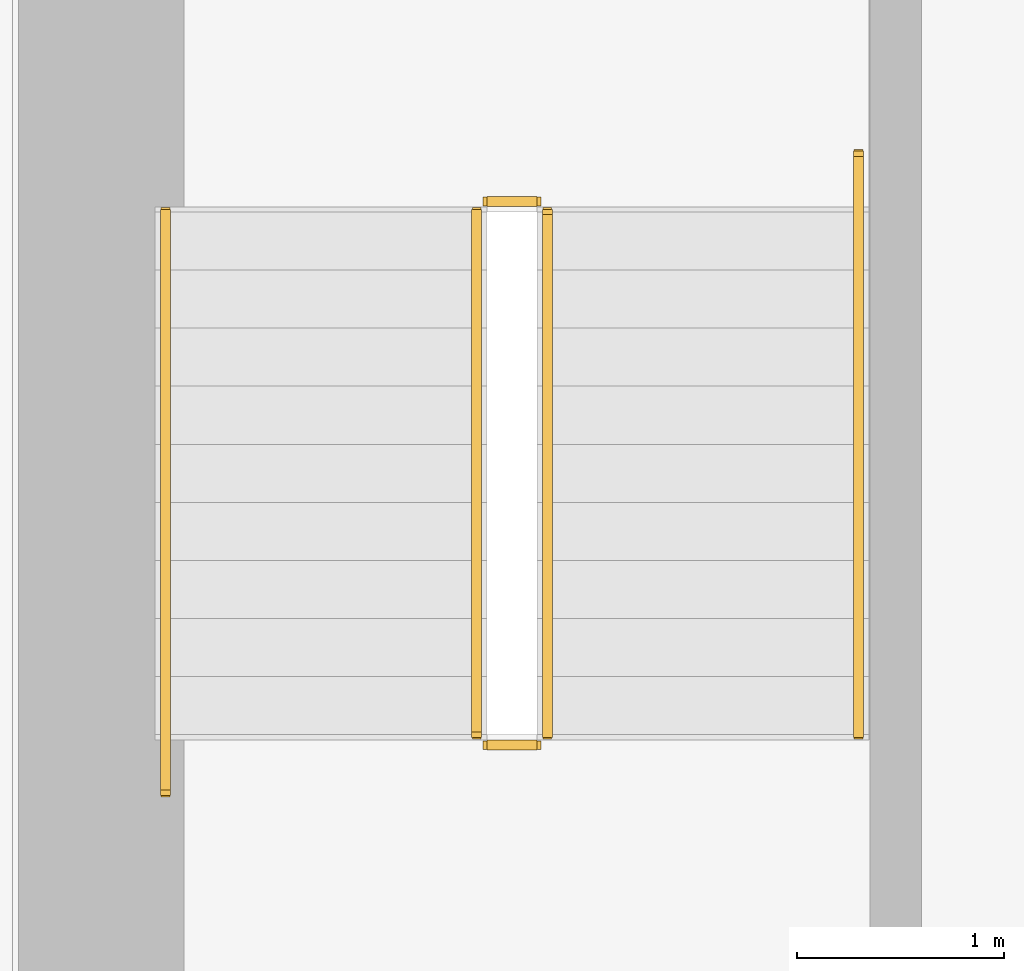
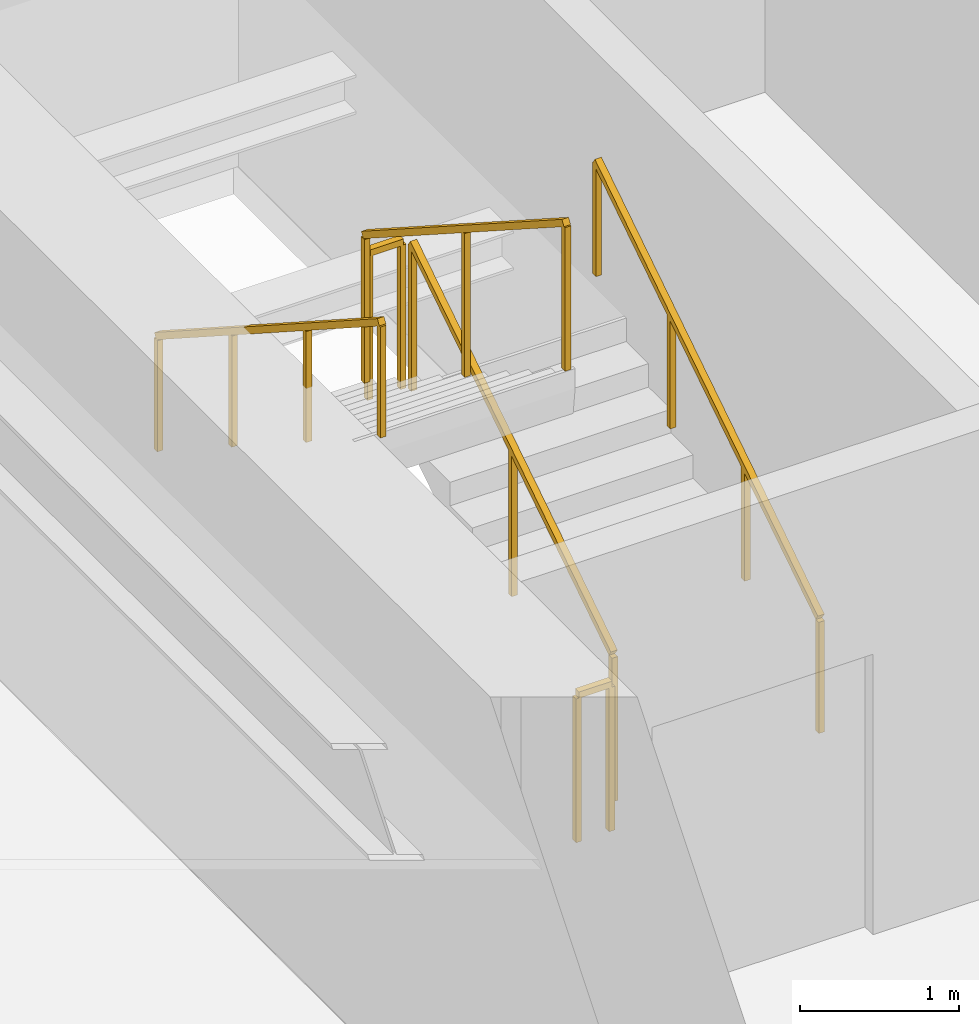
# One storey, part 29 of 32: 6 railings.
"""IFC4 building model written with IfcOpenShell, lengths in metres."""

from ifc_helpers import new_model, si_unit, direction, frame, origin, origin_2d, place, context, subcontext, project, spatial, rectangle, extrude, material, type_object, element, save


model = new_model("IFC4")

# Units and contexts
model_context = context("Model", 3, precision=1e-05, world=origin(), true_north=direction((0.0, 1.0)))
body_context = subcontext(model_context, "Body", "Model", "MODEL_VIEW")
ifc_project = project(units=[si_unit("LENGTHUNIT", "METRE"), si_unit("AREAUNIT", "SQUARE_METRE"), si_unit("VOLUMEUNIT", "CUBIC_METRE"), si_unit("PLANEANGLEUNIT", "RADIAN"), si_unit("MASSUNIT", "GRAM", prefix="KILO")], contexts=[model_context])

# Site, building, storey
site_placement = place(None, origin())
site = spatial("IfcSite", under=ifc_project, at=site_placement, CompositionType="ELEMENT")
building_placement = place(site_placement, origin())
building = spatial("IfcBuilding", under=site, at=building_placement, Name="Sumidabori Civic Tower", CompositionType="ELEMENT")
storey_placement = place(building_placement, frame((0.0, 0.0, 45.199951171875)))
storey = spatial("IfcBuildingStorey", under=building, at=storey_placement, Name="L11", CompositionType="ELEMENT", Elevation=45.199951171875)

# Railings
ifc_material_1 = material(Name="Stainless Steel Hairline Finish", Category="steel")
railing_type_1 = type_object("IfcRailingType", Name="RL-HANDRAIL", PredefinedType="HANDRAIL", material=ifc_material_1)
railing_1_placement = place(storey_placement, frame((-11.949951171875, 16.0, 0.179931640625)))
element("IfcRailing", 1, at=railing_1_placement, inside=storey, type_object=railing_type_1, Name="L11 ST-1 stair handrail 1", PredefinedType="HANDRAIL", context=body_context, shape_type="SweptSolid", body=[
    extrude(rectangle(XDim=0.048095703125, YDim=0.048095703125, at=origin_2d()), frame((0.0, 0.0, 0.8759765625), z_axis=(0.0, 0.84064222762, 0.54159084662), x_axis=(-1.0, 0.0, 0.0)), (0.0, 0.0, 1.0), 3.330810546875),
    extrude(rectangle(XDim=0.0419921875, YDim=0.0419921875, at=origin_2d()), origin(), (0.0, 0.0, 1.0), 0.851806640625),
    extrude(rectangle(XDim=0.0419921875, YDim=0.0419921875, at=origin_2d()), frame((0.0, 0.933349609375, 0.601318359375)), (0.0, 0.0, 1.0), 0.851806640625),
    extrude(rectangle(XDim=0.0419921875, YDim=0.0419921875, at=origin_2d()), frame((0.0, 1.86669921875, 1.20263671875)), (0.0, 0.0, 1.0), 0.851806640625),
    extrude(rectangle(XDim=0.0419921875, YDim=0.0419921875, at=origin_2d()), frame((0.0, 2.800048828125, 1.803955078125)), (0.0, 0.0, 1.0), 0.851806640625),
])
railing_2_placement = place(storey_placement, frame((-15.2900390625, 18.52001953125, 1.97998046875)))
element("IfcRailing", 2, at=railing_2_placement, inside=storey, type_object=railing_type_1, Name="L11 ST-1 stair handrail 2", PredefinedType="HANDRAIL", context=body_context, shape_type="SweptSolid", body=[
    extrude(rectangle(XDim=0.048095703125, YDim=0.048095703125, at=origin_2d()), frame((0.0, 0.0, 0.8759765625), z_axis=(0.0, -0.84064222762, 0.54159084662), x_axis=(1.0, 0.0, 0.0)), (0.0, 0.0, 1.0), 3.330810546875),
    extrude(rectangle(XDim=0.0419921875, YDim=0.0419921875, at=origin_2d()), origin(), (0.0, 0.0, 1.0), 0.851806640625),
    extrude(rectangle(XDim=0.0419921875, YDim=0.0419921875, at=origin_2d()), frame((0.0, -0.933349609375, 0.601318359375)), (0.0, 0.0, 1.0), 0.851806640625),
    extrude(rectangle(XDim=0.0419921875, YDim=0.0419921875, at=origin_2d()), frame((0.0, -1.86669921875, 1.20263671875)), (0.0, 0.0, 1.0), 0.851806640625),
    extrude(rectangle(XDim=0.0419921875, YDim=0.0419921875, at=origin_2d()), frame((0.0, -2.800048828125, 1.803955078125)), (0.0, 0.0, 1.0), 0.851806640625),
])
ifc_material_2 = material(Name="Steel SN490", Category="steel")
railing_type_2 = type_object("IfcRailingType", Name="RL-STAIR-GUARD", PredefinedType="GUARDRAIL", material=ifc_material_2)
railing_3_placement = place(storey_placement, frame((-13.449951171875, 16.0, 0.179931640625)))
element("IfcRailing", 3, at=railing_3_placement, inside=storey, type_object=railing_type_2, Name="L11 ST-1 stair guard 1", PredefinedType="GUARDRAIL", context=body_context, shape_type="SweptSolid", body=[
    extrude(rectangle(XDim=0.048095703125, YDim=0.048095703125, at=origin_2d()), frame((0.0, 0.0, 1.1259765625), z_axis=(0.0, 0.841162588446, 0.540782303519), x_axis=(-1.0, 0.0, 0.0)), (0.0, 0.0, 1.0), 2.995849609375),
    extrude(rectangle(XDim=0.0419921875, YDim=0.0419921875, at=origin_2d()), origin(), (0.0, 0.0, 1.0), 1.101806640625),
    extrude(rectangle(XDim=0.0419921875, YDim=0.0419921875, at=origin_2d()), frame((0.0, 1.260009765625, 0.81005859375)), (0.0, 0.0, 1.0), 1.101806640625),
    extrude(rectangle(XDim=0.0419921875, YDim=0.0419921875, at=origin_2d()), frame((0.0, 2.52001953125, 1.6201171875)), (0.0, 0.0, 1.0), 1.101806640625),
])
railing_4_placement = place(storey_placement, frame((-13.5, 18.570068359375, 1.800048828125)))
element("IfcRailing", 4, at=railing_4_placement, inside=storey, type_object=railing_type_2, Name="L11 ST-1 stair guard 2", PredefinedType="GUARDRAIL", context=body_context, shape_type="SweptSolid", body=[
    extrude(rectangle(XDim=0.048095703125, YDim=0.048095703125, at=origin_2d()), frame((0.0, 0.0, 1.1259765625), z_axis=(-1.0, 0.0, 0.0), x_axis=(0.0, -1.0, 0.0)), (0.0, 0.0, 1.0), 0.239990234375),
    extrude(rectangle(XDim=0.0419921875, YDim=0.0419921875, at=origin_2d()), origin(), (0.0, 0.0, 1.0), 1.101806640625),
    extrude(rectangle(XDim=0.0419921875, YDim=0.0419921875, at=origin_2d()), frame((-0.239990234375, 0.0, 0.0)), (0.0, 0.0, 1.0), 1.101806640625),
])
railing_5_placement = place(storey_placement, frame((-13.7900390625, 18.52001953125, 1.97998046875)))
element("IfcRailing", 5, at=railing_5_placement, inside=storey, type_object=railing_type_2, Name="L11 ST-1 stair guard 3", PredefinedType="GUARDRAIL", context=body_context, shape_type="SweptSolid", body=[
    extrude(rectangle(XDim=0.048095703125, YDim=0.048095703125, at=origin_2d()), frame((0.0, 0.0, 1.1259765625), z_axis=(0.0, -0.841162588446, 0.540782303519), x_axis=(1.0, 0.0, 0.0)), (0.0, 0.0, 1.0), 2.995849609375),
    extrude(rectangle(XDim=0.0419921875, YDim=0.0419921875, at=origin_2d()), origin(), (0.0, 0.0, 1.0), 1.101806640625),
    extrude(rectangle(XDim=0.0419921875, YDim=0.0419921875, at=origin_2d()), frame((0.0, -1.260009765625, 0.81005859375)), (0.0, 0.0, 1.0), 1.101806640625),
    extrude(rectangle(XDim=0.0419921875, YDim=0.0419921875, at=origin_2d()), frame((0.0, -2.52001953125, 1.6201171875)), (0.0, 0.0, 1.0), 1.101806640625),
])
railing_6_placement = place(storey_placement, frame((-13.5, 15.949951171875, 0.0)))
element("IfcRailing", 6, at=railing_6_placement, inside=storey, type_object=railing_type_2, Name="L11 ST-1 stair guard 4", PredefinedType="GUARDRAIL", context=body_context, shape_type="SweptSolid", body=[
    extrude(rectangle(XDim=0.048095703125, YDim=0.048095703125, at=origin_2d()), frame((0.0, 0.0, 1.1259765625), z_axis=(-1.0, 0.0, 0.0), x_axis=(0.0, -1.0, 0.0)), (0.0, 0.0, 1.0), 0.239990234375),
    extrude(rectangle(XDim=0.0419921875, YDim=0.0419921875, at=origin_2d()), origin(), (0.0, 0.0, 1.0), 1.101806640625),
    extrude(rectangle(XDim=0.0419921875, YDim=0.0419921875, at=origin_2d()), frame((-0.239990234375, 0.0, 0.0)), (0.0, 0.0, 1.0), 1.101806640625),
])

save(model, "model.ifc")
